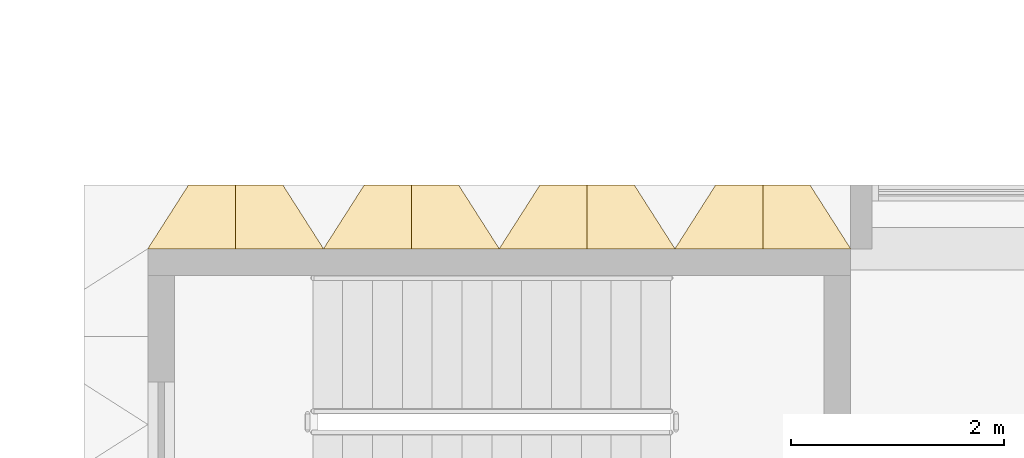
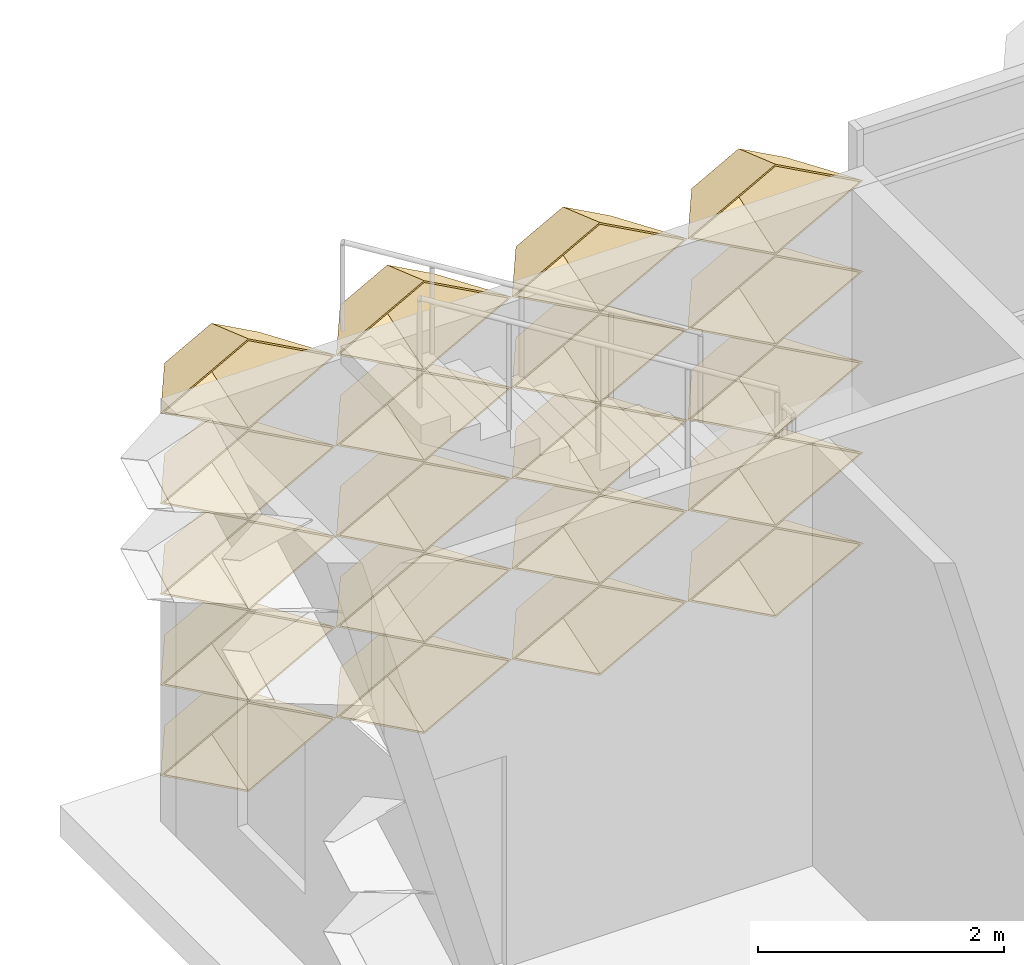
# One storey, part 48 of 87: 20 coverings.
"""IFC4 building model written with IfcOpenShell, lengths in metres."""

from ifc_helpers import new_model, entity, si_unit, direction, frame, origin, place, context, subcontext, project, spatial, material, layer, layer_set, type_object, element, save


model = new_model("IFC4")

# Units and contexts
model_context = context("Model", 3, precision=1e-05, world=origin(), true_north=direction((0.0, 1.0)))
body_context = subcontext(model_context, "Body", "Model", "MODEL_VIEW")
ifc_project = project(units=[si_unit("LENGTHUNIT", "METRE"), si_unit("AREAUNIT", "SQUARE_METRE"), si_unit("VOLUMEUNIT", "CUBIC_METRE"), si_unit("PLANEANGLEUNIT", "RADIAN"), si_unit("MASSUNIT", "GRAM", prefix="KILO")], contexts=[model_context])

# Site, building, storey
site_placement = place(None, origin())
site = spatial("IfcSite", under=ifc_project, at=site_placement, CompositionType="ELEMENT")
building_placement = place(site_placement, origin())
building = spatial("IfcBuilding", under=site, at=building_placement, Name="Lantern Court Research Institute", CompositionType="ELEMENT")
storey_placement = place(building_placement, frame((0.0, 0.0, 5.39990234375)))
storey = spatial("IfcBuildingStorey", under=building, at=storey_placement, Name="L01", CompositionType="ELEMENT", Elevation=5.39990234375)

# Coverings
ifc_material = material(Name="Anodised aluminium", Category="aluminium")
ifc_layer = layer(ifc_material, 0.01611328125)
ifc_layer_set = layer_set([ifc_layer], Name="Anodised aluminium")
covering_type = type_object("IfcCoveringType", Name="Fin cassette 1650 x 900 x 600 aluminium", PredefinedType="CLADDING", material=ifc_layer_set)
covering_1_placement = place(storey_placement, frame((0.824951171875, 23.10009765625, 0.4501953125), z_axis=(0.0, 1.0, 0.0), x_axis=(-1.0, 0.0, 0.0)))
cartesian_point_1 = entity("IfcCartesianPoint", [0.824951171875, 0.0])
cartesian_point_2 = entity("IfcCartesianPoint", [0.79150390625, 0.0])
cartesian_point_3 = entity("IfcCartesianPoint", [0.44189453125, 0.0])
cartesian_point_4 = entity("IfcCartesianPoint", [0.43359375, 0.0])
element("IfcCovering", 1, at=covering_1_placement, inside=storey, type_object=covering_type, Name="Fin cassette V4N-L01 1.1", PredefinedType="CLADDING", context=body_context, shape_type="SweptSolid", body=[
    entity("IfcExtrudedAreaSolidTapered", entity("IfcArbitraryProfileDefWithVoids", "AREA", None, entity("IfcPolyline", [cartesian_point_1, entity("IfcCartesianPoint", [0.0, 0.449951171875]), entity("IfcCartesianPoint", [-0.824951171875, 0.0]), entity("IfcCartesianPoint", [0.0, -0.449951171875]), cartesian_point_1]), [entity("IfcPolyline", [cartesian_point_2, entity("IfcCartesianPoint", [0.0, 0.431884765625]), entity("IfcCartesianPoint", [-0.79150390625, 0.0]), entity("IfcCartesianPoint", [0.0, -0.431884765625]), cartesian_point_2])]), entity("IfcAxis2Placement3D", entity("IfcCartesianPoint", [0.0, 0.0, 0.0])), entity("IfcDirection", [0.0, 0.0, 1.0]), 0.60009765625, entity("IfcArbitraryProfileDefWithVoids", "AREA", None, entity("IfcPolyline", [cartesian_point_3, entity("IfcCartesianPoint", [0.0, 0.240966796875]), entity("IfcCartesianPoint", [-0.44189453125, 0.0]), entity("IfcCartesianPoint", [0.0, -0.240966796875]), cartesian_point_3]), [entity("IfcPolyline", [cartesian_point_4, entity("IfcCartesianPoint", [0.0, 0.236572265625]), entity("IfcCartesianPoint", [-0.43359375, 0.0]), entity("IfcCartesianPoint", [0.0, -0.236572265625]), cartesian_point_4])])),
])
covering_2_placement = place(storey_placement, frame((2.47509765625, 23.10009765625, 0.4501953125), z_axis=(0.0, 1.0, 0.0), x_axis=(-1.0, 0.0, 0.0)))
cartesian_point_5 = entity("IfcCartesianPoint", [0.824951171875, 0.0])
cartesian_point_6 = entity("IfcCartesianPoint", [0.79150390625, 0.0])
cartesian_point_7 = entity("IfcCartesianPoint", [0.44189453125, 0.0])
cartesian_point_8 = entity("IfcCartesianPoint", [0.43359375, 0.0])
element("IfcCovering", 2, at=covering_2_placement, inside=storey, type_object=covering_type, Name="Fin cassette V4N-L01 1.2", PredefinedType="CLADDING", context=body_context, shape_type="SweptSolid", body=[
    entity("IfcExtrudedAreaSolidTapered", entity("IfcArbitraryProfileDefWithVoids", "AREA", None, entity("IfcPolyline", [cartesian_point_5, entity("IfcCartesianPoint", [0.0, 0.449951171875]), entity("IfcCartesianPoint", [-0.824951171875, 0.0]), entity("IfcCartesianPoint", [0.0, -0.449951171875]), cartesian_point_5]), [entity("IfcPolyline", [cartesian_point_6, entity("IfcCartesianPoint", [0.0, 0.431884765625]), entity("IfcCartesianPoint", [-0.79150390625, 0.0]), entity("IfcCartesianPoint", [0.0, -0.431884765625]), cartesian_point_6])]), entity("IfcAxis2Placement3D", entity("IfcCartesianPoint", [0.0, 0.0, 0.0])), entity("IfcDirection", [0.0, 0.0, 1.0]), 0.60009765625, entity("IfcArbitraryProfileDefWithVoids", "AREA", None, entity("IfcPolyline", [cartesian_point_7, entity("IfcCartesianPoint", [0.0, 0.240966796875]), entity("IfcCartesianPoint", [-0.44189453125, 0.0]), entity("IfcCartesianPoint", [0.0, -0.240966796875]), cartesian_point_7]), [entity("IfcPolyline", [cartesian_point_8, entity("IfcCartesianPoint", [0.0, 0.236572265625]), entity("IfcCartesianPoint", [-0.43359375, 0.0]), entity("IfcCartesianPoint", [0.0, -0.236572265625]), cartesian_point_8])])),
])
covering_3_placement = place(storey_placement, frame((4.125, 23.10009765625, 0.4501953125), z_axis=(0.0, 1.0, 0.0), x_axis=(-1.0, 0.0, 0.0)))
cartesian_point_9 = entity("IfcCartesianPoint", [0.824951171875, 0.0])
cartesian_point_10 = entity("IfcCartesianPoint", [0.79150390625, 0.0])
cartesian_point_11 = entity("IfcCartesianPoint", [0.44189453125, 0.0])
cartesian_point_12 = entity("IfcCartesianPoint", [0.43359375, 0.0])
element("IfcCovering", 3, at=covering_3_placement, inside=storey, type_object=covering_type, Name="Fin cassette V4N-L01 1.3", PredefinedType="CLADDING", context=body_context, shape_type="SweptSolid", body=[
    entity("IfcExtrudedAreaSolidTapered", entity("IfcArbitraryProfileDefWithVoids", "AREA", None, entity("IfcPolyline", [cartesian_point_9, entity("IfcCartesianPoint", [0.0, 0.449951171875]), entity("IfcCartesianPoint", [-0.824951171875, 0.0]), entity("IfcCartesianPoint", [0.0, -0.449951171875]), cartesian_point_9]), [entity("IfcPolyline", [cartesian_point_10, entity("IfcCartesianPoint", [0.0, 0.431884765625]), entity("IfcCartesianPoint", [-0.79150390625, 0.0]), entity("IfcCartesianPoint", [0.0, -0.431884765625]), cartesian_point_10])]), entity("IfcAxis2Placement3D", entity("IfcCartesianPoint", [0.0, 0.0, 0.0])), entity("IfcDirection", [0.0, 0.0, 1.0]), 0.60009765625, entity("IfcArbitraryProfileDefWithVoids", "AREA", None, entity("IfcPolyline", [cartesian_point_11, entity("IfcCartesianPoint", [0.0, 0.240966796875]), entity("IfcCartesianPoint", [-0.44189453125, 0.0]), entity("IfcCartesianPoint", [0.0, -0.240966796875]), cartesian_point_11]), [entity("IfcPolyline", [cartesian_point_12, entity("IfcCartesianPoint", [0.0, 0.236572265625]), entity("IfcCartesianPoint", [-0.43359375, 0.0]), entity("IfcCartesianPoint", [0.0, -0.236572265625]), cartesian_point_12])])),
])
covering_4_placement = place(storey_placement, frame((5.77490234375, 23.10009765625, 0.4501953125), z_axis=(0.0, 1.0, 0.0), x_axis=(-1.0, 0.0, 0.0)))
cartesian_point_13 = entity("IfcCartesianPoint", [0.824951171875, 0.0])
cartesian_point_14 = entity("IfcCartesianPoint", [0.79150390625, 0.0])
cartesian_point_15 = entity("IfcCartesianPoint", [0.44189453125, 0.0])
cartesian_point_16 = entity("IfcCartesianPoint", [0.43359375, 0.0])
element("IfcCovering", 4, at=covering_4_placement, inside=storey, type_object=covering_type, Name="Fin cassette V4N-L01 1.4", PredefinedType="CLADDING", context=body_context, shape_type="SweptSolid", body=[
    entity("IfcExtrudedAreaSolidTapered", entity("IfcArbitraryProfileDefWithVoids", "AREA", None, entity("IfcPolyline", [cartesian_point_13, entity("IfcCartesianPoint", [0.0, 0.449951171875]), entity("IfcCartesianPoint", [-0.824951171875, 0.0]), entity("IfcCartesianPoint", [0.0, -0.449951171875]), cartesian_point_13]), [entity("IfcPolyline", [cartesian_point_14, entity("IfcCartesianPoint", [0.0, 0.431884765625]), entity("IfcCartesianPoint", [-0.79150390625, 0.0]), entity("IfcCartesianPoint", [0.0, -0.431884765625]), cartesian_point_14])]), entity("IfcAxis2Placement3D", entity("IfcCartesianPoint", [0.0, 0.0, 0.0])), entity("IfcDirection", [0.0, 0.0, 1.0]), 0.60009765625, entity("IfcArbitraryProfileDefWithVoids", "AREA", None, entity("IfcPolyline", [cartesian_point_15, entity("IfcCartesianPoint", [0.0, 0.240966796875]), entity("IfcCartesianPoint", [-0.44189453125, 0.0]), entity("IfcCartesianPoint", [0.0, -0.240966796875]), cartesian_point_15]), [entity("IfcPolyline", [cartesian_point_16, entity("IfcCartesianPoint", [0.0, 0.236572265625]), entity("IfcCartesianPoint", [-0.43359375, 0.0]), entity("IfcCartesianPoint", [0.0, -0.236572265625]), cartesian_point_16])])),
])
covering_5_placement = place(storey_placement, frame((0.824951171875, 23.10009765625, 1.35009765625), z_axis=(0.0, 1.0, 0.0), x_axis=(-1.0, 0.0, 0.0)))
cartesian_point_17 = entity("IfcCartesianPoint", [0.824951171875, 0.0])
cartesian_point_18 = entity("IfcCartesianPoint", [0.79150390625, 0.0])
cartesian_point_19 = entity("IfcCartesianPoint", [0.44189453125, 0.0])
cartesian_point_20 = entity("IfcCartesianPoint", [0.43359375, 0.0])
element("IfcCovering", 5, at=covering_5_placement, inside=storey, type_object=covering_type, Name="Fin cassette V4N-L01 2.1", PredefinedType="CLADDING", context=body_context, shape_type="SweptSolid", body=[
    entity("IfcExtrudedAreaSolidTapered", entity("IfcArbitraryProfileDefWithVoids", "AREA", None, entity("IfcPolyline", [cartesian_point_17, entity("IfcCartesianPoint", [0.0, 0.449951171875]), entity("IfcCartesianPoint", [-0.824951171875, 0.0]), entity("IfcCartesianPoint", [0.0, -0.449951171875]), cartesian_point_17]), [entity("IfcPolyline", [cartesian_point_18, entity("IfcCartesianPoint", [0.0, 0.431884765625]), entity("IfcCartesianPoint", [-0.79150390625, 0.0]), entity("IfcCartesianPoint", [0.0, -0.431884765625]), cartesian_point_18])]), entity("IfcAxis2Placement3D", entity("IfcCartesianPoint", [0.0, 0.0, 0.0])), entity("IfcDirection", [0.0, 0.0, 1.0]), 0.60009765625, entity("IfcArbitraryProfileDefWithVoids", "AREA", None, entity("IfcPolyline", [cartesian_point_19, entity("IfcCartesianPoint", [0.0, 0.240966796875]), entity("IfcCartesianPoint", [-0.44189453125, 0.0]), entity("IfcCartesianPoint", [0.0, -0.240966796875]), cartesian_point_19]), [entity("IfcPolyline", [cartesian_point_20, entity("IfcCartesianPoint", [0.0, 0.236572265625]), entity("IfcCartesianPoint", [-0.43359375, 0.0]), entity("IfcCartesianPoint", [0.0, -0.236572265625]), cartesian_point_20])])),
])
covering_6_placement = place(storey_placement, frame((2.47509765625, 23.10009765625, 1.35009765625), z_axis=(0.0, 1.0, 0.0), x_axis=(-1.0, 0.0, 0.0)))
cartesian_point_21 = entity("IfcCartesianPoint", [0.824951171875, 0.0])
cartesian_point_22 = entity("IfcCartesianPoint", [0.79150390625, 0.0])
cartesian_point_23 = entity("IfcCartesianPoint", [0.44189453125, 0.0])
cartesian_point_24 = entity("IfcCartesianPoint", [0.43359375, 0.0])
element("IfcCovering", 6, at=covering_6_placement, inside=storey, type_object=covering_type, Name="Fin cassette V4N-L01 2.2", PredefinedType="CLADDING", context=body_context, shape_type="SweptSolid", body=[
    entity("IfcExtrudedAreaSolidTapered", entity("IfcArbitraryProfileDefWithVoids", "AREA", None, entity("IfcPolyline", [cartesian_point_21, entity("IfcCartesianPoint", [0.0, 0.449951171875]), entity("IfcCartesianPoint", [-0.824951171875, 0.0]), entity("IfcCartesianPoint", [0.0, -0.449951171875]), cartesian_point_21]), [entity("IfcPolyline", [cartesian_point_22, entity("IfcCartesianPoint", [0.0, 0.431884765625]), entity("IfcCartesianPoint", [-0.79150390625, 0.0]), entity("IfcCartesianPoint", [0.0, -0.431884765625]), cartesian_point_22])]), entity("IfcAxis2Placement3D", entity("IfcCartesianPoint", [0.0, 0.0, 0.0])), entity("IfcDirection", [0.0, 0.0, 1.0]), 0.60009765625, entity("IfcArbitraryProfileDefWithVoids", "AREA", None, entity("IfcPolyline", [cartesian_point_23, entity("IfcCartesianPoint", [0.0, 0.240966796875]), entity("IfcCartesianPoint", [-0.44189453125, 0.0]), entity("IfcCartesianPoint", [0.0, -0.240966796875]), cartesian_point_23]), [entity("IfcPolyline", [cartesian_point_24, entity("IfcCartesianPoint", [0.0, 0.236572265625]), entity("IfcCartesianPoint", [-0.43359375, 0.0]), entity("IfcCartesianPoint", [0.0, -0.236572265625]), cartesian_point_24])])),
])
covering_7_placement = place(storey_placement, frame((4.125, 23.10009765625, 1.35009765625), z_axis=(0.0, 1.0, 0.0), x_axis=(-1.0, 0.0, 0.0)))
cartesian_point_25 = entity("IfcCartesianPoint", [0.824951171875, 0.0])
cartesian_point_26 = entity("IfcCartesianPoint", [0.79150390625, 0.0])
cartesian_point_27 = entity("IfcCartesianPoint", [0.44189453125, 0.0])
cartesian_point_28 = entity("IfcCartesianPoint", [0.43359375, 0.0])
element("IfcCovering", 7, at=covering_7_placement, inside=storey, type_object=covering_type, Name="Fin cassette V4N-L01 2.3", PredefinedType="CLADDING", context=body_context, shape_type="SweptSolid", body=[
    entity("IfcExtrudedAreaSolidTapered", entity("IfcArbitraryProfileDefWithVoids", "AREA", None, entity("IfcPolyline", [cartesian_point_25, entity("IfcCartesianPoint", [0.0, 0.449951171875]), entity("IfcCartesianPoint", [-0.824951171875, 0.0]), entity("IfcCartesianPoint", [0.0, -0.449951171875]), cartesian_point_25]), [entity("IfcPolyline", [cartesian_point_26, entity("IfcCartesianPoint", [0.0, 0.431884765625]), entity("IfcCartesianPoint", [-0.79150390625, 0.0]), entity("IfcCartesianPoint", [0.0, -0.431884765625]), cartesian_point_26])]), entity("IfcAxis2Placement3D", entity("IfcCartesianPoint", [0.0, 0.0, 0.0])), entity("IfcDirection", [0.0, 0.0, 1.0]), 0.60009765625, entity("IfcArbitraryProfileDefWithVoids", "AREA", None, entity("IfcPolyline", [cartesian_point_27, entity("IfcCartesianPoint", [0.0, 0.240966796875]), entity("IfcCartesianPoint", [-0.44189453125, 0.0]), entity("IfcCartesianPoint", [0.0, -0.240966796875]), cartesian_point_27]), [entity("IfcPolyline", [cartesian_point_28, entity("IfcCartesianPoint", [0.0, 0.236572265625]), entity("IfcCartesianPoint", [-0.43359375, 0.0]), entity("IfcCartesianPoint", [0.0, -0.236572265625]), cartesian_point_28])])),
])
covering_8_placement = place(storey_placement, frame((5.77490234375, 23.10009765625, 1.35009765625), z_axis=(0.0, 1.0, 0.0), x_axis=(-1.0, 0.0, 0.0)))
cartesian_point_29 = entity("IfcCartesianPoint", [0.824951171875, 0.0])
cartesian_point_30 = entity("IfcCartesianPoint", [0.79150390625, 0.0])
cartesian_point_31 = entity("IfcCartesianPoint", [0.44189453125, 0.0])
cartesian_point_32 = entity("IfcCartesianPoint", [0.43359375, 0.0])
element("IfcCovering", 8, at=covering_8_placement, inside=storey, type_object=covering_type, Name="Fin cassette V4N-L01 2.4", PredefinedType="CLADDING", context=body_context, shape_type="SweptSolid", body=[
    entity("IfcExtrudedAreaSolidTapered", entity("IfcArbitraryProfileDefWithVoids", "AREA", None, entity("IfcPolyline", [cartesian_point_29, entity("IfcCartesianPoint", [0.0, 0.449951171875]), entity("IfcCartesianPoint", [-0.824951171875, 0.0]), entity("IfcCartesianPoint", [0.0, -0.449951171875]), cartesian_point_29]), [entity("IfcPolyline", [cartesian_point_30, entity("IfcCartesianPoint", [0.0, 0.431884765625]), entity("IfcCartesianPoint", [-0.79150390625, 0.0]), entity("IfcCartesianPoint", [0.0, -0.431884765625]), cartesian_point_30])]), entity("IfcAxis2Placement3D", entity("IfcCartesianPoint", [0.0, 0.0, 0.0])), entity("IfcDirection", [0.0, 0.0, 1.0]), 0.60009765625, entity("IfcArbitraryProfileDefWithVoids", "AREA", None, entity("IfcPolyline", [cartesian_point_31, entity("IfcCartesianPoint", [0.0, 0.240966796875]), entity("IfcCartesianPoint", [-0.44189453125, 0.0]), entity("IfcCartesianPoint", [0.0, -0.240966796875]), cartesian_point_31]), [entity("IfcPolyline", [cartesian_point_32, entity("IfcCartesianPoint", [0.0, 0.236572265625]), entity("IfcCartesianPoint", [-0.43359375, 0.0]), entity("IfcCartesianPoint", [0.0, -0.236572265625]), cartesian_point_32])])),
])
covering_9_placement = place(storey_placement, frame((0.824951171875, 23.10009765625, 2.25), z_axis=(0.0, 1.0, 0.0), x_axis=(-1.0, 0.0, 0.0)))
cartesian_point_33 = entity("IfcCartesianPoint", [0.824951171875, 0.0])
cartesian_point_34 = entity("IfcCartesianPoint", [0.79150390625, 0.0])
cartesian_point_35 = entity("IfcCartesianPoint", [0.44189453125, 0.0])
cartesian_point_36 = entity("IfcCartesianPoint", [0.43359375, 0.0])
element("IfcCovering", 9, at=covering_9_placement, inside=storey, type_object=covering_type, Name="Fin cassette V4N-L01 3.1", PredefinedType="CLADDING", context=body_context, shape_type="SweptSolid", body=[
    entity("IfcExtrudedAreaSolidTapered", entity("IfcArbitraryProfileDefWithVoids", "AREA", None, entity("IfcPolyline", [cartesian_point_33, entity("IfcCartesianPoint", [0.0, 0.449951171875]), entity("IfcCartesianPoint", [-0.824951171875, 0.0]), entity("IfcCartesianPoint", [0.0, -0.449951171875]), cartesian_point_33]), [entity("IfcPolyline", [cartesian_point_34, entity("IfcCartesianPoint", [0.0, 0.431884765625]), entity("IfcCartesianPoint", [-0.79150390625, 0.0]), entity("IfcCartesianPoint", [0.0, -0.431884765625]), cartesian_point_34])]), entity("IfcAxis2Placement3D", entity("IfcCartesianPoint", [0.0, 0.0, 0.0])), entity("IfcDirection", [0.0, 0.0, 1.0]), 0.60009765625, entity("IfcArbitraryProfileDefWithVoids", "AREA", None, entity("IfcPolyline", [cartesian_point_35, entity("IfcCartesianPoint", [0.0, 0.240966796875]), entity("IfcCartesianPoint", [-0.44189453125, 0.0]), entity("IfcCartesianPoint", [0.0, -0.240966796875]), cartesian_point_35]), [entity("IfcPolyline", [cartesian_point_36, entity("IfcCartesianPoint", [0.0, 0.236572265625]), entity("IfcCartesianPoint", [-0.43359375, 0.0]), entity("IfcCartesianPoint", [0.0, -0.236572265625]), cartesian_point_36])])),
])
covering_10_placement = place(storey_placement, frame((2.47509765625, 23.10009765625, 2.25), z_axis=(0.0, 1.0, 0.0), x_axis=(-1.0, 0.0, 0.0)))
cartesian_point_37 = entity("IfcCartesianPoint", [0.824951171875, 0.0])
cartesian_point_38 = entity("IfcCartesianPoint", [0.79150390625, 0.0])
cartesian_point_39 = entity("IfcCartesianPoint", [0.44189453125, 0.0])
cartesian_point_40 = entity("IfcCartesianPoint", [0.43359375, 0.0])
element("IfcCovering", 10, at=covering_10_placement, inside=storey, type_object=covering_type, Name="Fin cassette V4N-L01 3.2", PredefinedType="CLADDING", context=body_context, shape_type="SweptSolid", body=[
    entity("IfcExtrudedAreaSolidTapered", entity("IfcArbitraryProfileDefWithVoids", "AREA", None, entity("IfcPolyline", [cartesian_point_37, entity("IfcCartesianPoint", [0.0, 0.449951171875]), entity("IfcCartesianPoint", [-0.824951171875, 0.0]), entity("IfcCartesianPoint", [0.0, -0.449951171875]), cartesian_point_37]), [entity("IfcPolyline", [cartesian_point_38, entity("IfcCartesianPoint", [0.0, 0.431884765625]), entity("IfcCartesianPoint", [-0.79150390625, 0.0]), entity("IfcCartesianPoint", [0.0, -0.431884765625]), cartesian_point_38])]), entity("IfcAxis2Placement3D", entity("IfcCartesianPoint", [0.0, 0.0, 0.0])), entity("IfcDirection", [0.0, 0.0, 1.0]), 0.60009765625, entity("IfcArbitraryProfileDefWithVoids", "AREA", None, entity("IfcPolyline", [cartesian_point_39, entity("IfcCartesianPoint", [0.0, 0.240966796875]), entity("IfcCartesianPoint", [-0.44189453125, 0.0]), entity("IfcCartesianPoint", [0.0, -0.240966796875]), cartesian_point_39]), [entity("IfcPolyline", [cartesian_point_40, entity("IfcCartesianPoint", [0.0, 0.236572265625]), entity("IfcCartesianPoint", [-0.43359375, 0.0]), entity("IfcCartesianPoint", [0.0, -0.236572265625]), cartesian_point_40])])),
])
covering_11_placement = place(storey_placement, frame((4.125, 23.10009765625, 2.25), z_axis=(0.0, 1.0, 0.0), x_axis=(-1.0, 0.0, 0.0)))
cartesian_point_41 = entity("IfcCartesianPoint", [0.824951171875, 0.0])
cartesian_point_42 = entity("IfcCartesianPoint", [0.79150390625, 0.0])
cartesian_point_43 = entity("IfcCartesianPoint", [0.44189453125, 0.0])
cartesian_point_44 = entity("IfcCartesianPoint", [0.43359375, 0.0])
element("IfcCovering", 11, at=covering_11_placement, inside=storey, type_object=covering_type, Name="Fin cassette V4N-L01 3.3", PredefinedType="CLADDING", context=body_context, shape_type="SweptSolid", body=[
    entity("IfcExtrudedAreaSolidTapered", entity("IfcArbitraryProfileDefWithVoids", "AREA", None, entity("IfcPolyline", [cartesian_point_41, entity("IfcCartesianPoint", [0.0, 0.449951171875]), entity("IfcCartesianPoint", [-0.824951171875, 0.0]), entity("IfcCartesianPoint", [0.0, -0.449951171875]), cartesian_point_41]), [entity("IfcPolyline", [cartesian_point_42, entity("IfcCartesianPoint", [0.0, 0.431884765625]), entity("IfcCartesianPoint", [-0.79150390625, 0.0]), entity("IfcCartesianPoint", [0.0, -0.431884765625]), cartesian_point_42])]), entity("IfcAxis2Placement3D", entity("IfcCartesianPoint", [0.0, 0.0, 0.0])), entity("IfcDirection", [0.0, 0.0, 1.0]), 0.60009765625, entity("IfcArbitraryProfileDefWithVoids", "AREA", None, entity("IfcPolyline", [cartesian_point_43, entity("IfcCartesianPoint", [0.0, 0.240966796875]), entity("IfcCartesianPoint", [-0.44189453125, 0.0]), entity("IfcCartesianPoint", [0.0, -0.240966796875]), cartesian_point_43]), [entity("IfcPolyline", [cartesian_point_44, entity("IfcCartesianPoint", [0.0, 0.236572265625]), entity("IfcCartesianPoint", [-0.43359375, 0.0]), entity("IfcCartesianPoint", [0.0, -0.236572265625]), cartesian_point_44])])),
])
covering_12_placement = place(storey_placement, frame((5.77490234375, 23.10009765625, 2.25), z_axis=(0.0, 1.0, 0.0), x_axis=(-1.0, 0.0, 0.0)))
cartesian_point_45 = entity("IfcCartesianPoint", [0.824951171875, 0.0])
cartesian_point_46 = entity("IfcCartesianPoint", [0.79150390625, 0.0])
cartesian_point_47 = entity("IfcCartesianPoint", [0.44189453125, 0.0])
cartesian_point_48 = entity("IfcCartesianPoint", [0.43359375, 0.0])
element("IfcCovering", 12, at=covering_12_placement, inside=storey, type_object=covering_type, Name="Fin cassette V4N-L01 3.4", PredefinedType="CLADDING", context=body_context, shape_type="SweptSolid", body=[
    entity("IfcExtrudedAreaSolidTapered", entity("IfcArbitraryProfileDefWithVoids", "AREA", None, entity("IfcPolyline", [cartesian_point_45, entity("IfcCartesianPoint", [0.0, 0.449951171875]), entity("IfcCartesianPoint", [-0.824951171875, 0.0]), entity("IfcCartesianPoint", [0.0, -0.449951171875]), cartesian_point_45]), [entity("IfcPolyline", [cartesian_point_46, entity("IfcCartesianPoint", [0.0, 0.431884765625]), entity("IfcCartesianPoint", [-0.79150390625, 0.0]), entity("IfcCartesianPoint", [0.0, -0.431884765625]), cartesian_point_46])]), entity("IfcAxis2Placement3D", entity("IfcCartesianPoint", [0.0, 0.0, 0.0])), entity("IfcDirection", [0.0, 0.0, 1.0]), 0.60009765625, entity("IfcArbitraryProfileDefWithVoids", "AREA", None, entity("IfcPolyline", [cartesian_point_47, entity("IfcCartesianPoint", [0.0, 0.240966796875]), entity("IfcCartesianPoint", [-0.44189453125, 0.0]), entity("IfcCartesianPoint", [0.0, -0.240966796875]), cartesian_point_47]), [entity("IfcPolyline", [cartesian_point_48, entity("IfcCartesianPoint", [0.0, 0.236572265625]), entity("IfcCartesianPoint", [-0.43359375, 0.0]), entity("IfcCartesianPoint", [0.0, -0.236572265625]), cartesian_point_48])])),
])
covering_13_placement = place(storey_placement, frame((0.824951171875, 23.10009765625, 3.150146484375), z_axis=(0.0, 1.0, 0.0), x_axis=(-1.0, 0.0, 0.0)))
cartesian_point_49 = entity("IfcCartesianPoint", [0.824951171875, 0.0])
cartesian_point_50 = entity("IfcCartesianPoint", [0.79150390625, 0.0])
cartesian_point_51 = entity("IfcCartesianPoint", [0.44189453125, 0.0])
cartesian_point_52 = entity("IfcCartesianPoint", [0.43359375, 0.0])
element("IfcCovering", 13, at=covering_13_placement, inside=storey, type_object=covering_type, Name="Fin cassette V4N-L01 4.1", PredefinedType="CLADDING", context=body_context, shape_type="SweptSolid", body=[
    entity("IfcExtrudedAreaSolidTapered", entity("IfcArbitraryProfileDefWithVoids", "AREA", None, entity("IfcPolyline", [cartesian_point_49, entity("IfcCartesianPoint", [0.0, 0.449951171875]), entity("IfcCartesianPoint", [-0.824951171875, 0.0]), entity("IfcCartesianPoint", [0.0, -0.449951171875]), cartesian_point_49]), [entity("IfcPolyline", [cartesian_point_50, entity("IfcCartesianPoint", [0.0, 0.431884765625]), entity("IfcCartesianPoint", [-0.79150390625, 0.0]), entity("IfcCartesianPoint", [0.0, -0.431884765625]), cartesian_point_50])]), entity("IfcAxis2Placement3D", entity("IfcCartesianPoint", [0.0, 0.0, 0.0])), entity("IfcDirection", [0.0, 0.0, 1.0]), 0.60009765625, entity("IfcArbitraryProfileDefWithVoids", "AREA", None, entity("IfcPolyline", [cartesian_point_51, entity("IfcCartesianPoint", [0.0, 0.240966796875]), entity("IfcCartesianPoint", [-0.44189453125, 0.0]), entity("IfcCartesianPoint", [0.0, -0.240966796875]), cartesian_point_51]), [entity("IfcPolyline", [cartesian_point_52, entity("IfcCartesianPoint", [0.0, 0.236572265625]), entity("IfcCartesianPoint", [-0.43359375, 0.0]), entity("IfcCartesianPoint", [0.0, -0.236572265625]), cartesian_point_52])])),
])
covering_14_placement = place(storey_placement, frame((2.47509765625, 23.10009765625, 3.150146484375), z_axis=(0.0, 1.0, 0.0), x_axis=(-1.0, 0.0, 0.0)))
cartesian_point_53 = entity("IfcCartesianPoint", [0.824951171875, 0.0])
cartesian_point_54 = entity("IfcCartesianPoint", [0.79150390625, 0.0])
cartesian_point_55 = entity("IfcCartesianPoint", [0.44189453125, 0.0])
cartesian_point_56 = entity("IfcCartesianPoint", [0.43359375, 0.0])
element("IfcCovering", 14, at=covering_14_placement, inside=storey, type_object=covering_type, Name="Fin cassette V4N-L01 4.2", PredefinedType="CLADDING", context=body_context, shape_type="SweptSolid", body=[
    entity("IfcExtrudedAreaSolidTapered", entity("IfcArbitraryProfileDefWithVoids", "AREA", None, entity("IfcPolyline", [cartesian_point_53, entity("IfcCartesianPoint", [0.0, 0.449951171875]), entity("IfcCartesianPoint", [-0.824951171875, 0.0]), entity("IfcCartesianPoint", [0.0, -0.449951171875]), cartesian_point_53]), [entity("IfcPolyline", [cartesian_point_54, entity("IfcCartesianPoint", [0.0, 0.431884765625]), entity("IfcCartesianPoint", [-0.79150390625, 0.0]), entity("IfcCartesianPoint", [0.0, -0.431884765625]), cartesian_point_54])]), entity("IfcAxis2Placement3D", entity("IfcCartesianPoint", [0.0, 0.0, 0.0])), entity("IfcDirection", [0.0, 0.0, 1.0]), 0.60009765625, entity("IfcArbitraryProfileDefWithVoids", "AREA", None, entity("IfcPolyline", [cartesian_point_55, entity("IfcCartesianPoint", [0.0, 0.240966796875]), entity("IfcCartesianPoint", [-0.44189453125, 0.0]), entity("IfcCartesianPoint", [0.0, -0.240966796875]), cartesian_point_55]), [entity("IfcPolyline", [cartesian_point_56, entity("IfcCartesianPoint", [0.0, 0.236572265625]), entity("IfcCartesianPoint", [-0.43359375, 0.0]), entity("IfcCartesianPoint", [0.0, -0.236572265625]), cartesian_point_56])])),
])
covering_15_placement = place(storey_placement, frame((4.125, 23.10009765625, 3.150146484375), z_axis=(0.0, 1.0, 0.0), x_axis=(-1.0, 0.0, 0.0)))
cartesian_point_57 = entity("IfcCartesianPoint", [0.824951171875, 0.0])
cartesian_point_58 = entity("IfcCartesianPoint", [0.79150390625, 0.0])
cartesian_point_59 = entity("IfcCartesianPoint", [0.44189453125, 0.0])
cartesian_point_60 = entity("IfcCartesianPoint", [0.43359375, 0.0])
element("IfcCovering", 15, at=covering_15_placement, inside=storey, type_object=covering_type, Name="Fin cassette V4N-L01 4.3", PredefinedType="CLADDING", context=body_context, shape_type="SweptSolid", body=[
    entity("IfcExtrudedAreaSolidTapered", entity("IfcArbitraryProfileDefWithVoids", "AREA", None, entity("IfcPolyline", [cartesian_point_57, entity("IfcCartesianPoint", [0.0, 0.449951171875]), entity("IfcCartesianPoint", [-0.824951171875, 0.0]), entity("IfcCartesianPoint", [0.0, -0.449951171875]), cartesian_point_57]), [entity("IfcPolyline", [cartesian_point_58, entity("IfcCartesianPoint", [0.0, 0.431884765625]), entity("IfcCartesianPoint", [-0.79150390625, 0.0]), entity("IfcCartesianPoint", [0.0, -0.431884765625]), cartesian_point_58])]), entity("IfcAxis2Placement3D", entity("IfcCartesianPoint", [0.0, 0.0, 0.0])), entity("IfcDirection", [0.0, 0.0, 1.0]), 0.60009765625, entity("IfcArbitraryProfileDefWithVoids", "AREA", None, entity("IfcPolyline", [cartesian_point_59, entity("IfcCartesianPoint", [0.0, 0.240966796875]), entity("IfcCartesianPoint", [-0.44189453125, 0.0]), entity("IfcCartesianPoint", [0.0, -0.240966796875]), cartesian_point_59]), [entity("IfcPolyline", [cartesian_point_60, entity("IfcCartesianPoint", [0.0, 0.236572265625]), entity("IfcCartesianPoint", [-0.43359375, 0.0]), entity("IfcCartesianPoint", [0.0, -0.236572265625]), cartesian_point_60])])),
])
covering_16_placement = place(storey_placement, frame((5.77490234375, 23.10009765625, 3.150146484375), z_axis=(0.0, 1.0, 0.0), x_axis=(-1.0, 0.0, 0.0)))
cartesian_point_61 = entity("IfcCartesianPoint", [0.824951171875, 0.0])
cartesian_point_62 = entity("IfcCartesianPoint", [0.79150390625, 0.0])
cartesian_point_63 = entity("IfcCartesianPoint", [0.44189453125, 0.0])
cartesian_point_64 = entity("IfcCartesianPoint", [0.43359375, 0.0])
element("IfcCovering", 16, at=covering_16_placement, inside=storey, type_object=covering_type, Name="Fin cassette V4N-L01 4.4", PredefinedType="CLADDING", context=body_context, shape_type="SweptSolid", body=[
    entity("IfcExtrudedAreaSolidTapered", entity("IfcArbitraryProfileDefWithVoids", "AREA", None, entity("IfcPolyline", [cartesian_point_61, entity("IfcCartesianPoint", [0.0, 0.449951171875]), entity("IfcCartesianPoint", [-0.824951171875, 0.0]), entity("IfcCartesianPoint", [0.0, -0.449951171875]), cartesian_point_61]), [entity("IfcPolyline", [cartesian_point_62, entity("IfcCartesianPoint", [0.0, 0.431884765625]), entity("IfcCartesianPoint", [-0.79150390625, 0.0]), entity("IfcCartesianPoint", [0.0, -0.431884765625]), cartesian_point_62])]), entity("IfcAxis2Placement3D", entity("IfcCartesianPoint", [0.0, 0.0, 0.0])), entity("IfcDirection", [0.0, 0.0, 1.0]), 0.60009765625, entity("IfcArbitraryProfileDefWithVoids", "AREA", None, entity("IfcPolyline", [cartesian_point_63, entity("IfcCartesianPoint", [0.0, 0.240966796875]), entity("IfcCartesianPoint", [-0.44189453125, 0.0]), entity("IfcCartesianPoint", [0.0, -0.240966796875]), cartesian_point_63]), [entity("IfcPolyline", [cartesian_point_64, entity("IfcCartesianPoint", [0.0, 0.236572265625]), entity("IfcCartesianPoint", [-0.43359375, 0.0]), entity("IfcCartesianPoint", [0.0, -0.236572265625]), cartesian_point_64])])),
])
covering_17_placement = place(storey_placement, frame((0.824951171875, 23.10009765625, 4.050048828125), z_axis=(0.0, 1.0, 0.0), x_axis=(-1.0, 0.0, 0.0)))
cartesian_point_65 = entity("IfcCartesianPoint", [0.824951171875, 0.0])
cartesian_point_66 = entity("IfcCartesianPoint", [0.79150390625, 0.0])
cartesian_point_67 = entity("IfcCartesianPoint", [0.44189453125, 0.0])
cartesian_point_68 = entity("IfcCartesianPoint", [0.43359375, 0.0])
element("IfcCovering", 17, at=covering_17_placement, inside=storey, type_object=covering_type, Name="Fin cassette V4N-L01 5.1", PredefinedType="CLADDING", context=body_context, shape_type="SweptSolid", body=[
    entity("IfcExtrudedAreaSolidTapered", entity("IfcArbitraryProfileDefWithVoids", "AREA", None, entity("IfcPolyline", [cartesian_point_65, entity("IfcCartesianPoint", [0.0, 0.449951171875]), entity("IfcCartesianPoint", [-0.824951171875, 0.0]), entity("IfcCartesianPoint", [0.0, -0.449951171875]), cartesian_point_65]), [entity("IfcPolyline", [cartesian_point_66, entity("IfcCartesianPoint", [0.0, 0.431884765625]), entity("IfcCartesianPoint", [-0.79150390625, 0.0]), entity("IfcCartesianPoint", [0.0, -0.431884765625]), cartesian_point_66])]), entity("IfcAxis2Placement3D", entity("IfcCartesianPoint", [0.0, 0.0, 0.0])), entity("IfcDirection", [0.0, 0.0, 1.0]), 0.60009765625, entity("IfcArbitraryProfileDefWithVoids", "AREA", None, entity("IfcPolyline", [cartesian_point_67, entity("IfcCartesianPoint", [0.0, 0.240966796875]), entity("IfcCartesianPoint", [-0.44189453125, 0.0]), entity("IfcCartesianPoint", [0.0, -0.240966796875]), cartesian_point_67]), [entity("IfcPolyline", [cartesian_point_68, entity("IfcCartesianPoint", [0.0, 0.236572265625]), entity("IfcCartesianPoint", [-0.43359375, 0.0]), entity("IfcCartesianPoint", [0.0, -0.236572265625]), cartesian_point_68])])),
])
covering_18_placement = place(storey_placement, frame((2.47509765625, 23.10009765625, 4.050048828125), z_axis=(0.0, 1.0, 0.0), x_axis=(-1.0, 0.0, 0.0)))
cartesian_point_69 = entity("IfcCartesianPoint", [0.824951171875, 0.0])
cartesian_point_70 = entity("IfcCartesianPoint", [0.79150390625, 0.0])
cartesian_point_71 = entity("IfcCartesianPoint", [0.44189453125, 0.0])
cartesian_point_72 = entity("IfcCartesianPoint", [0.43359375, 0.0])
element("IfcCovering", 18, at=covering_18_placement, inside=storey, type_object=covering_type, Name="Fin cassette V4N-L01 5.2", PredefinedType="CLADDING", context=body_context, shape_type="SweptSolid", body=[
    entity("IfcExtrudedAreaSolidTapered", entity("IfcArbitraryProfileDefWithVoids", "AREA", None, entity("IfcPolyline", [cartesian_point_69, entity("IfcCartesianPoint", [0.0, 0.449951171875]), entity("IfcCartesianPoint", [-0.824951171875, 0.0]), entity("IfcCartesianPoint", [0.0, -0.449951171875]), cartesian_point_69]), [entity("IfcPolyline", [cartesian_point_70, entity("IfcCartesianPoint", [0.0, 0.431884765625]), entity("IfcCartesianPoint", [-0.79150390625, 0.0]), entity("IfcCartesianPoint", [0.0, -0.431884765625]), cartesian_point_70])]), entity("IfcAxis2Placement3D", entity("IfcCartesianPoint", [0.0, 0.0, 0.0])), entity("IfcDirection", [0.0, 0.0, 1.0]), 0.60009765625, entity("IfcArbitraryProfileDefWithVoids", "AREA", None, entity("IfcPolyline", [cartesian_point_71, entity("IfcCartesianPoint", [0.0, 0.240966796875]), entity("IfcCartesianPoint", [-0.44189453125, 0.0]), entity("IfcCartesianPoint", [0.0, -0.240966796875]), cartesian_point_71]), [entity("IfcPolyline", [cartesian_point_72, entity("IfcCartesianPoint", [0.0, 0.236572265625]), entity("IfcCartesianPoint", [-0.43359375, 0.0]), entity("IfcCartesianPoint", [0.0, -0.236572265625]), cartesian_point_72])])),
])
covering_19_placement = place(storey_placement, frame((4.125, 23.10009765625, 4.050048828125), z_axis=(0.0, 1.0, 0.0), x_axis=(-1.0, 0.0, 0.0)))
cartesian_point_73 = entity("IfcCartesianPoint", [0.824951171875, 0.0])
cartesian_point_74 = entity("IfcCartesianPoint", [0.79150390625, 0.0])
cartesian_point_75 = entity("IfcCartesianPoint", [0.44189453125, 0.0])
cartesian_point_76 = entity("IfcCartesianPoint", [0.43359375, 0.0])
element("IfcCovering", 19, at=covering_19_placement, inside=storey, type_object=covering_type, Name="Fin cassette V4N-L01 5.3", PredefinedType="CLADDING", context=body_context, shape_type="SweptSolid", body=[
    entity("IfcExtrudedAreaSolidTapered", entity("IfcArbitraryProfileDefWithVoids", "AREA", None, entity("IfcPolyline", [cartesian_point_73, entity("IfcCartesianPoint", [0.0, 0.449951171875]), entity("IfcCartesianPoint", [-0.824951171875, 0.0]), entity("IfcCartesianPoint", [0.0, -0.449951171875]), cartesian_point_73]), [entity("IfcPolyline", [cartesian_point_74, entity("IfcCartesianPoint", [0.0, 0.431884765625]), entity("IfcCartesianPoint", [-0.79150390625, 0.0]), entity("IfcCartesianPoint", [0.0, -0.431884765625]), cartesian_point_74])]), entity("IfcAxis2Placement3D", entity("IfcCartesianPoint", [0.0, 0.0, 0.0])), entity("IfcDirection", [0.0, 0.0, 1.0]), 0.60009765625, entity("IfcArbitraryProfileDefWithVoids", "AREA", None, entity("IfcPolyline", [cartesian_point_75, entity("IfcCartesianPoint", [0.0, 0.240966796875]), entity("IfcCartesianPoint", [-0.44189453125, 0.0]), entity("IfcCartesianPoint", [0.0, -0.240966796875]), cartesian_point_75]), [entity("IfcPolyline", [cartesian_point_76, entity("IfcCartesianPoint", [0.0, 0.236572265625]), entity("IfcCartesianPoint", [-0.43359375, 0.0]), entity("IfcCartesianPoint", [0.0, -0.236572265625]), cartesian_point_76])])),
])
covering_20_placement = place(storey_placement, frame((5.77490234375, 23.10009765625, 4.050048828125), z_axis=(0.0, 1.0, 0.0), x_axis=(-1.0, 0.0, 0.0)))
cartesian_point_77 = entity("IfcCartesianPoint", [0.824951171875, 0.0])
cartesian_point_78 = entity("IfcCartesianPoint", [0.79150390625, 0.0])
cartesian_point_79 = entity("IfcCartesianPoint", [0.44189453125, 0.0])
cartesian_point_80 = entity("IfcCartesianPoint", [0.43359375, 0.0])
element("IfcCovering", 20, at=covering_20_placement, inside=storey, type_object=covering_type, Name="Fin cassette V4N-L01 5.4", PredefinedType="CLADDING", context=body_context, shape_type="SweptSolid", body=[
    entity("IfcExtrudedAreaSolidTapered", entity("IfcArbitraryProfileDefWithVoids", "AREA", None, entity("IfcPolyline", [cartesian_point_77, entity("IfcCartesianPoint", [0.0, 0.449951171875]), entity("IfcCartesianPoint", [-0.824951171875, 0.0]), entity("IfcCartesianPoint", [0.0, -0.449951171875]), cartesian_point_77]), [entity("IfcPolyline", [cartesian_point_78, entity("IfcCartesianPoint", [0.0, 0.431884765625]), entity("IfcCartesianPoint", [-0.79150390625, 0.0]), entity("IfcCartesianPoint", [0.0, -0.431884765625]), cartesian_point_78])]), entity("IfcAxis2Placement3D", entity("IfcCartesianPoint", [0.0, 0.0, 0.0])), entity("IfcDirection", [0.0, 0.0, 1.0]), 0.60009765625, entity("IfcArbitraryProfileDefWithVoids", "AREA", None, entity("IfcPolyline", [cartesian_point_79, entity("IfcCartesianPoint", [0.0, 0.240966796875]), entity("IfcCartesianPoint", [-0.44189453125, 0.0]), entity("IfcCartesianPoint", [0.0, -0.240966796875]), cartesian_point_79]), [entity("IfcPolyline", [cartesian_point_80, entity("IfcCartesianPoint", [0.0, 0.236572265625]), entity("IfcCartesianPoint", [-0.43359375, 0.0]), entity("IfcCartesianPoint", [0.0, -0.236572265625]), cartesian_point_80])])),
])

save(model, "model.ifc")
